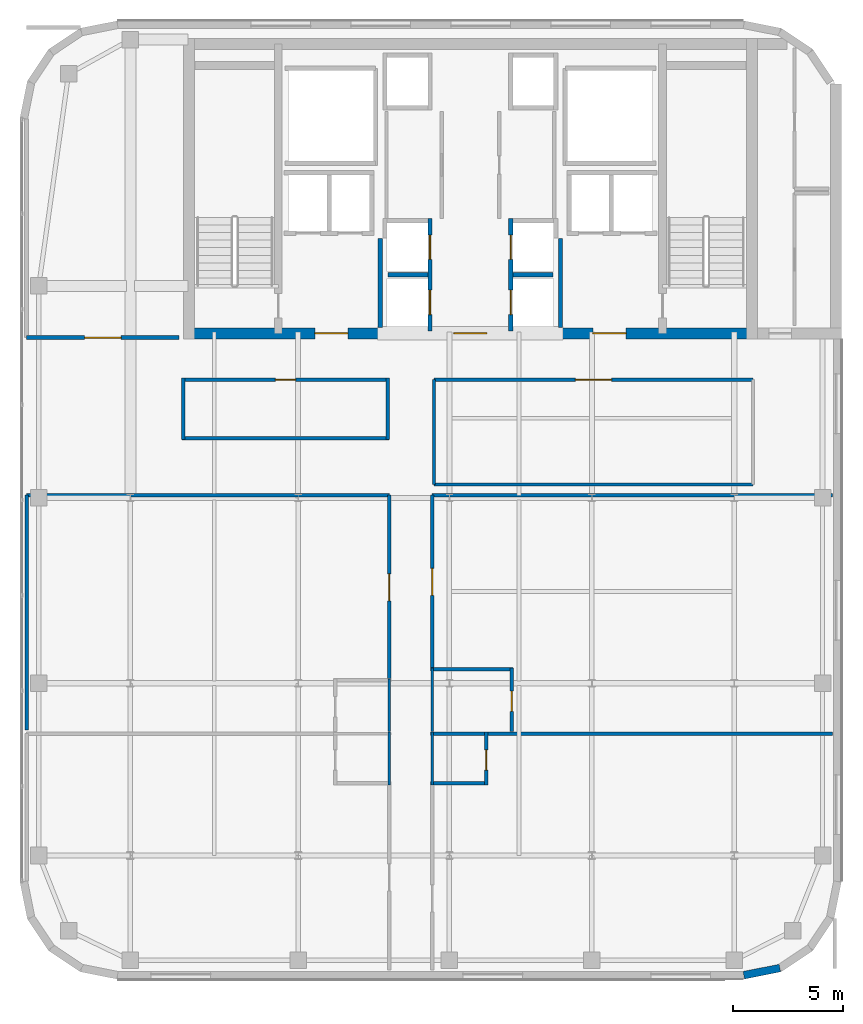
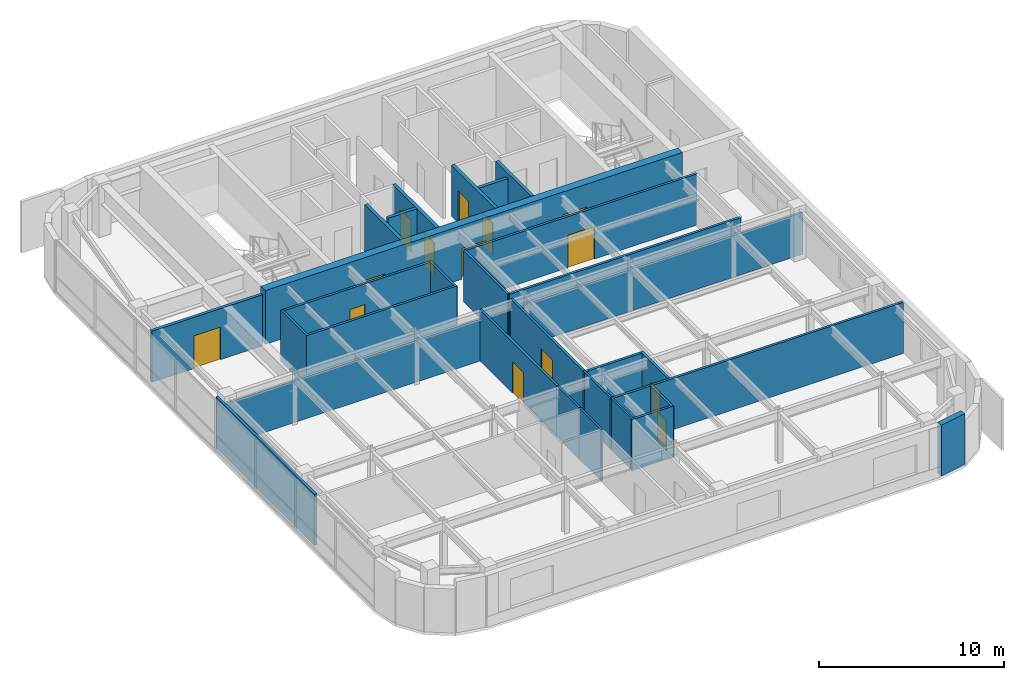
# One storey, part 15 of 21: 30 walls, 14 doors, 14 openings.
"""IFC4 building model written with IfcOpenShell, lengths in metres."""

import ifcopenshell
import ifcopenshell.guid

model = None  # the IFC model being written
_history = None  # IfcOwnerHistory: only IFC2X3 demands one
_inside = {}  # id of a spatial element -> (the spatial element, [elements in it])
_under = {}  # id of a project, library or spatial element -> (it, [spatial elements below it])
_declared = {}  # id of a project -> (the project, [libraries it declares])
_typed = {}  # id of a type object -> (the type object, [elements of that type])
_made_of = {}  # id of a material, layer set ... -> (it, [elements and type objects made of it])


def new_model(schema):
    """Start an empty IFC model of exactly this schema.

    Asked for "IFC4X3", IfcOpenShell would pick the latest addendum, in which some entities
    have other attributes; the version numbers below select the first issue.
    IFC2X3 requires an IfcOwnerHistory on every rooted entity: one is made here for all.
    """
    global model, _history
    if schema == "IFC4X3":
        model = ifcopenshell.file(schema_version=(4, 3, 0, 0))
    else:
        model = ifcopenshell.file(schema=schema)
    _inside.clear()
    _under.clear()
    _declared.clear()
    _typed.clear()
    _made_of.clear()
    _history = None
    if model.schema == "IFC2X3":
        org = make("IfcOrganization", Name="unknown")
        user = make(
            "IfcPersonAndOrganization",
            ThePerson=make("IfcPerson", FamilyName="unknown"),
            TheOrganization=org,
        )
        app = make(
            "IfcApplication",
            ApplicationDeveloper=org,
            Version="unknown",
            ApplicationFullName="unknown",
            ApplicationIdentifier="unknown",
        )
        _history = make(
            "IfcOwnerHistory",
            OwningUser=user,
            OwningApplication=app,
            ChangeAction="ADDED",
            CreationDate=0,
        )
    return model


def make(cls, **values):
    """One entity of the class cls with the attributes given. An attribute that is None is left unset."""
    return model.create_entity(
        cls, **{name: value for name, value in values.items() if value is not None}
    )


def rooted(cls, **values):
    """An entity with a GlobalId (a new one), such as an element, a storey or a relation."""
    return make(cls, GlobalId=ifcopenshell.guid.new(), OwnerHistory=_history, **values)


def si_unit(unit_type, name, prefix=None):
    """IfcSIUnit, for example si_unit("LENGTHUNIT", "METRE", prefix="MILLI")."""
    return make("IfcSIUnit", UnitType=unit_type, Prefix=prefix, Name=name)


def assignment(units):
    """IfcUnitAssignment: the units of a project."""
    return None if units is None else make("IfcUnitAssignment", Units=units)


def point(xyz):
    """IfcCartesianPoint."""
    return None if xyz is None else make("IfcCartesianPoint", Coordinates=xyz)


def direction(xyz):
    """IfcDirection."""
    return None if xyz is None else make("IfcDirection", DirectionRatios=xyz)


def frame(location, z_axis=None, x_axis=None):
    """IfcAxis2Placement3D, a coordinate frame: its origin and axes. An axis left out is left unset."""
    return make(
        "IfcAxis2Placement3D",
        Location=point(location),
        Axis=direction(z_axis),
        RefDirection=direction(x_axis),
    )


def frame_2d(location, x_axis=None):
    """IfcAxis2Placement2D, a coordinate frame in the plane: its origin and x axis."""
    return make(
        "IfcAxis2Placement2D", Location=point(location), RefDirection=direction(x_axis)
    )


def origin():
    """The frame at (0, 0, 0) with its axes left unset."""
    return frame((0.0, 0.0, 0.0))


def place(relative_to, where):
    """IfcLocalPlacement: puts the frame where relative to a parent placement (None: the world)."""
    return make(
        "IfcLocalPlacement", PlacementRelTo=relative_to, RelativePlacement=where
    )


def context(
    kind, dimensions, precision=None, world=None, true_north=None, identifier=None
):
    """IfcGeometricRepresentationContext, for example the 3D "Model" context."""
    return make(
        "IfcGeometricRepresentationContext",
        ContextIdentifier=identifier,
        ContextType=kind,
        CoordinateSpaceDimension=dimensions,
        Precision=precision,
        WorldCoordinateSystem=world,
        TrueNorth=true_north,
    )


def subcontext(parent, identifier, kind, view, scale=None):
    """IfcGeometricRepresentationSubContext, for example "Body" below "Model"."""
    return make(
        "IfcGeometricRepresentationSubContext",
        ContextIdentifier=identifier,
        ContextType=kind,
        ParentContext=parent,
        TargetScale=scale,
        TargetView=view,
    )


def project(units=None, contexts=None):
    """IfcProject with its units and contexts."""
    return rooted(
        "IfcProject",
        Name="project",
        RepresentationContexts=contexts,
        UnitsInContext=assignment(units),
    )


def spatial(cls, under=None, at=None, **own):
    """A site, building, storey or space (cls), placed at a placement, below another one or the project."""
    s = rooted(cls, ObjectPlacement=at, **own)
    if under is not None:
        _under.setdefault(under.id(), (under, []))[1].append(s)
    return s


def profile(cls, at=None, kind="AREA", **sizes):
    """A parametric profile (cls). Its sizes go by their IFC names, for example OverallWidth=200.0."""
    return make(cls, ProfileType=kind, Position=at, **sizes)


def rectangle(**sizes):
    """IfcRectangleProfileDef."""
    return profile("IfcRectangleProfileDef", **sizes)


def extrude(swept, where, along, depth):
    """IfcExtrudedAreaSolid: the profile swept, set in the frame where, extruded along a direction by depth."""
    return make(
        "IfcExtrudedAreaSolid",
        SweptArea=swept,
        Position=where,
        ExtrudedDirection=direction(along),
        Depth=depth,
    )


def shape(context_of_items, identifier, shape_type, items):
    """IfcShapeRepresentation: the items that make up one representation, for example the "Body"."""
    return make(
        "IfcShapeRepresentation",
        ContextOfItems=context_of_items,
        RepresentationIdentifier=identifier,
        RepresentationType=shape_type,
        Items=items,
    )


def source(mapping_origin, context_of_items, identifier, shape_type, items):
    """IfcRepresentationMap: a shape defined once, which mapped items show again and again."""
    return make(
        "IfcRepresentationMap",
        MappingOrigin=mapping_origin,
        MappedRepresentation=shape(context_of_items, identifier, shape_type, items),
    )


def transform(
    local_origin,
    x_axis=None,
    y_axis=None,
    z_axis=None,
    scale=None,
    scale2=None,
    scale3=None,
    uniform=True,
):
    """IfcCartesianTransformationOperator3D, or its non-uniform kind. x_axis, y_axis, z_axis: its Axis1, 2, 3."""
    if uniform:
        return make(
            "IfcCartesianTransformationOperator3D",
            Axis1=direction(x_axis),
            Axis2=direction(y_axis),
            LocalOrigin=point(local_origin),
            Scale=scale,
            Axis3=direction(z_axis),
        )
    return make(
        "IfcCartesianTransformationOperator3DnonUniform",
        Axis1=direction(x_axis),
        Axis2=direction(y_axis),
        LocalOrigin=point(local_origin),
        Scale=scale,
        Axis3=direction(z_axis),
        Scale2=scale2,
        Scale3=scale3,
    )


def mapped(mapping_source, mapping_target):
    """IfcMappedItem: shows the shape of a source again, moved by a transform."""
    return make(
        "IfcMappedItem", MappingSource=mapping_source, MappingTarget=mapping_target
    )


def material(Name=None, Category=None):
    """IfcMaterial."""
    return make("IfcMaterial", Name=Name, Category=Category)


def layer(
    of_material, thickness, ventilated=None, Name=None, Category=None, Priority=None
):
    """IfcMaterialLayer: one layer of a wall or slab, of a material (None: an air gap)."""
    return make(
        "IfcMaterialLayer",
        Material=of_material,
        LayerThickness=thickness,
        IsVentilated=ventilated,
        Name=Name,
        Category=Category,
        Priority=Priority,
    )


def layer_set(layers, Name=None):
    """IfcMaterialLayerSet."""
    return make("IfcMaterialLayerSet", MaterialLayers=layers, LayerSetName=Name)


def made_of(thing, what):
    """Note that an element or type object is made of a material, layer set ...; save() writes the relation."""
    if what is not None:
        _made_of.setdefault(what.id(), (what, []))[1].append(thing)
    return thing


def type_object(cls, material=None, **own):
    """A type object (cls), such as IfcWallType, which elements share."""
    return made_of(rooted(cls, **own), material)


def type_shapes(of_type, sources):
    """Give a type object the sources (RepresentationMaps) that its elements show as mapped items."""
    of_type.RepresentationMaps = sources


def element(
    cls,
    number,
    at=None,
    inside=None,
    cuts=None,
    type_object=None,
    material=None,
    context=None,
    identifier="Body",
    shape_type=None,
    held_by="IfcProductDefinitionShape",
    body=None,
    shapes=None,
    **own,
):
    """One element of the class cls, such as IfcWall. Its Tag is "e" and its number.

    at: its placement. inside: the storey or other place that contains it. cuts: it is an
    opening in that element (IfcRelVoidsElement). A single representation is given by context,
    identifier, shape_type and body (its items); several are given by shapes. held_by: the class
    of the entity that holds the representations. save() writes the other relations.
    """
    e = rooted(cls, Tag="e%d" % number, ObjectPlacement=at, **own)
    if body is not None:
        shapes = [shape(context, identifier, shape_type, body)]
    if shapes is not None:
        e.Representation = make(held_by, Representations=shapes)
    if inside is not None:
        _inside.setdefault(inside.id(), (inside, []))[1].append(e)
    if cuts is not None:
        rooted(
            "IfcRelVoidsElement", RelatingBuildingElement=cuts, RelatedOpeningElement=e
        )
    if type_object is not None:
        _typed.setdefault(type_object.id(), (type_object, []))[1].append(e)
    return made_of(e, material)


def fill(opening, filler):
    """IfcRelFillsElement: the door or window that sits in an opening."""
    return rooted(
        "IfcRelFillsElement",
        RelatingOpeningElement=opening,
        RelatedBuildingElement=filler,
    )


def aggregate(whole, parts):
    """IfcRelAggregates: a whole, such as a stair, and the parts it consists of."""
    return rooted("IfcRelAggregates", RelatingObject=whole, RelatedObjects=parts)


def save(model, path):
    """Write the relations noted so far, then the file.

    IfcRelAggregates (storeys below a building ...), IfcRelContainedInSpatialStructure (elements
    in a storey), IfcRelDefinesByType, IfcRelAssociatesMaterial and IfcRelDeclares: one each for
    every whole, place, type object, material and project.
    """
    for whole, parts in _under.values():
        aggregate(whole, parts)
    for where, things in _inside.values():
        rooted(
            "IfcRelContainedInSpatialStructure",
            RelatedElements=things,
            RelatingStructure=where,
        )
    for kind, things in _typed.values():
        rooted("IfcRelDefinesByType", RelatedObjects=things, RelatingType=kind)
    for what, things in _made_of.values():
        rooted("IfcRelAssociatesMaterial", RelatedObjects=things, RelatingMaterial=what)
    for by, libraries in _declared.values():
        rooted("IfcRelDeclares", RelatingContext=by, RelatedDefinitions=libraries)
    model.write(path)


model = new_model("IFC4")

# Units and contexts
model_context = context("Model", 3, precision=1e-05, world=origin(), true_north=direction((0.0, 1.0)))
body_context = subcontext(model_context, "Body", "Model", "MODEL_VIEW")
ifc_project = project(units=[si_unit("LENGTHUNIT", "METRE"), si_unit("AREAUNIT", "SQUARE_METRE"), si_unit("VOLUMEUNIT", "CUBIC_METRE"), si_unit("PLANEANGLEUNIT", "RADIAN"), si_unit("MASSUNIT", "GRAM", prefix="KILO")], contexts=[model_context])

# Site, building, storey
site_placement = place(None, origin())
site = spatial("IfcSite", under=ifc_project, at=site_placement, CompositionType="ELEMENT")
building_placement = place(site_placement, origin())
building = spatial("IfcBuilding", under=site, at=building_placement, Name="Tolvann Quenvar Hotel", CompositionType="ELEMENT")
storey_placement = place(building_placement, frame((0.0, 0.0, 227.449951171875)))
storey = spatial("IfcBuildingStorey", under=building, at=storey_placement, Name="L60", CompositionType="ELEMENT", Elevation=227.449951171875)

# Wall, openings, doors
ifc_material_1 = material(Name="Concrete N50 (50 MPa)", Category="concrete")
ifc_layer_1 = layer(ifc_material_1, 0.5)
ifc_layer_set_1 = layer_set([ifc_layer_1], Name="Concrete N50 (50 MPa)")
wall_type_1 = type_object("IfcWallType", Name="WALL_CORE_500", PredefinedType="SHEAR", material=ifc_layer_set_1)
wall_1_placement = place(storey_placement, frame((10.0, 31.85009765625, 0.0), z_axis=(0.0, 0.0, 1.0), x_axis=(1.0, 0.0, 0.0)))
wall_1 = element("IfcWall", 1, at=wall_1_placement, inside=storey, type_object=wall_type_1, Name="Rear Core S Shear Wall (L60)", PredefinedType="SHEAR", context=body_context, shape_type="SweptSolid", body=[
    extrude(rectangle(XDim=26.0, YDim=0.5, at=frame_2d((13.0, 0.0))), origin(), (0.0, 0.0, 1.0), 3.550048828125),
])
opening_1_placement = place(wall_1_placement, frame((7.449951171875, 0.0, 0.0), z_axis=(0.0, 0.0, 1.0), x_axis=(-1.0, 0.0, 0.0)))
opening_1 = element("IfcOpeningElement", 2, at=opening_1_placement, cuts=wall_1, Name="Opening FD-60D", PredefinedType="OPENING", context=body_context, shape_type="SweptSolid", body=[
    extrude(rectangle(XDim=1.5, YDim=2.0400390625, at=frame_2d((0.75, 1.02001953125))), frame((0.0, 0.260009765625, 0.0), z_axis=(0.0, -1.0, 0.0), x_axis=(1.0, 0.0, 0.0)), (0.0, 0.0, 1.0), 0.52001953125),
])
opening_2_placement = place(wall_1_placement, frame((13.75, 0.0, 0.0), z_axis=(0.0, 0.0, 1.0), x_axis=(-1.0, 0.0, 0.0)))
opening_2 = element("IfcOpeningElement", 3, at=opening_2_placement, cuts=wall_1, Name="Opening FD-60D", PredefinedType="OPENING", context=body_context, shape_type="SweptSolid", body=[
    extrude(rectangle(XDim=1.5, YDim=2.0400390625, at=frame_2d((0.75, 1.02001953125))), frame((0.0, 0.260009765625, 0.0), z_axis=(0.0, -1.0, 0.0), x_axis=(1.0, 0.0, 0.0)), (0.0, 0.0, 1.0), 0.52001953125),
])
opening_3_placement = place(wall_1_placement, frame((20.050048828125, 0.0, 0.0), z_axis=(0.0, 0.0, 1.0), x_axis=(-1.0, 0.0, 0.0)))
opening_3 = element("IfcOpeningElement", 4, at=opening_3_placement, cuts=wall_1, Name="Opening FD-60D", PredefinedType="OPENING", context=body_context, shape_type="SweptSolid", body=[
    extrude(rectangle(XDim=1.5, YDim=2.0400390625, at=frame_2d((0.75, 1.02001953125))), frame((0.0, 0.260009765625, 0.0), z_axis=(0.0, -1.0, 0.0), x_axis=(1.0, 0.0, 0.0)), (0.0, 0.0, 1.0), 0.52001953125),
])
ifc_material_2 = material(Name="Solid-core American oak acoustic fire door leaf in steel frame", Category="steel")
door_type_1 = type_object("IfcDoorType", Name="DOOR_FIRE_LOBBY_1500", OperationType="NOTDEFINED", PredefinedType="DOOR", material=ifc_material_2)
shared_shape_1 = source(origin(), body_context, "Body", "SweptSolid", [
    extrude(rectangle(XDim=1.5, YDim=2.0400390625, at=frame_2d((0.75, 1.02001953125))), frame((0.0, 0.02490234375, 0.0), z_axis=(0.0, -1.0, 0.0), x_axis=(1.0, 0.0, 0.0)), (0.0, 0.0, 1.0), 0.050048828125),
])
type_shapes(door_type_1, [shared_shape_1])
door_1_placement = place(opening_1_placement, origin())
door_1 = element("IfcDoor", 5, at=door_1_placement, inside=storey, type_object=door_type_1, Name="Core Lobby Fire Door FFW (L60)", OperationType="DOUBLE_DOOR_SINGLE_SWING", OverallHeight=2.0400390625, OverallWidth=1.5, PredefinedType="DOOR", context=body_context, shape_type="MappedRepresentation", body=[
    mapped(shared_shape_1, transform((0.0, 0.0, 0.0), x_axis=(1.0, 0.0, 0.0), y_axis=(0.0, 1.0, 0.0), z_axis=(0.0, 0.0, 1.0), scale=1.0)),
])
fill(opening_1, door_1)
door_2_placement = place(opening_2_placement, origin())
door_2 = element("IfcDoor", 6, at=door_2_placement, inside=storey, type_object=door_type_1, Name="Core Lobby Fire Door CLOB (L60)", OperationType="DOUBLE_DOOR_SINGLE_SWING", OverallHeight=2.0400390625, OverallWidth=1.5, PredefinedType="DOOR", context=body_context, shape_type="MappedRepresentation", body=[
    mapped(shared_shape_1, transform((0.0, 0.0, 0.0), x_axis=(1.0, 0.0, 0.0), y_axis=(0.0, 1.0, 0.0), z_axis=(0.0, 0.0, 1.0), scale=1.0)),
])
fill(opening_2, door_2)
door_3_placement = place(opening_3_placement, origin())
door_3 = element("IfcDoor", 7, at=door_3_placement, inside=storey, type_object=door_type_1, Name="Core Lobby Fire Door FFE (L60)", OperationType="DOUBLE_DOOR_SINGLE_SWING", OverallHeight=2.0400390625, OverallWidth=1.5, PredefinedType="DOOR", context=body_context, shape_type="MappedRepresentation", body=[
    mapped(shared_shape_1, transform((0.0, 0.0, 0.0), x_axis=(1.0, 0.0, 0.0), y_axis=(0.0, 1.0, 0.0), z_axis=(0.0, 0.0, 1.0), scale=1.0)),
])
fill(opening_3, door_3)

# Wall
ifc_material_3 = material(Name="Kiln-fired red and buff architectural clay brickwork and terracotta masonry", Category="masonry")
ifc_layer_2 = layer(ifc_material_3, 0.35009765625)
ifc_layer_set_2 = layer_set([ifc_layer_2], Name="Kiln-fired red and buff architectural clay brickwork and terracotta masonry")
wall_type_2 = type_object("IfcWallType", Name="WALL_EXT_BRICK_350", PredefinedType="SOLIDWALL", material=ifc_layer_set_2)
wall_2_placement = place(storey_placement, frame((35.3828125, 2.77490234375, 0.0), z_axis=(0.0, 0.0, 1.0), x_axis=(0.980788844421, 0.195072403631, 0.0)))
element("IfcWall", 8, at=wall_2_placement, inside=storey, type_object=wall_type_2, Name="Exterior Chicago Brick Wall L60-E05", PredefinedType="SOLIDWALL", context=body_context, shape_type="SweptSolid", body=[
    extrude(rectangle(XDim=1.66455078125, YDim=0.35009765625, at=frame_2d((0.832275390625, 0.0))), origin(), (0.0, 0.0, 1.0), 3.3701171875),
])

# Wall, opening, door
ifc_material_4 = material(Name="Acoustic twin-stud fire-rated gypsum plasterboard partition")
ifc_layer_3 = layer(ifc_material_4, 0.179931640625)
ifc_layer_set_3 = layer_set([ifc_layer_3], Name="Acoustic twin-stud fire-rated gypsum plasterboard partition")
wall_type_3 = type_object("IfcWallType", Name="WALL_PART_ACOUSTIC_180", PredefinedType="PARTITIONING", material=ifc_layer_set_3)
wall_3_placement = place(storey_placement, frame((2.89990234375, 31.64990234375, 0.0), z_axis=(0.0, 0.0, 1.0), x_axis=(1.0, 0.0, 0.0)))
wall_3 = element("IfcWall", 9, at=wall_3_placement, inside=storey, type_object=wall_type_3, Name="Interior Partition PT-SPC-L60-SAL-S", PredefinedType="PARTITIONING", context=body_context, shape_type="SweptSolid", body=[
    extrude(rectangle(XDim=6.900146484375, YDim=0.179931640625, at=frame_2d((3.4501953125, 0.0))), origin(), (0.0, 0.0, 1.0), 3.3701171875),
])
opening_4_placement = place(wall_3_placement, frame((2.625, 0.0, 0.0)))
opening_4 = element("IfcOpeningElement", 10, at=opening_4_placement, cuts=wall_3, Name="Opening AD-01", PredefinedType="OPENING", context=body_context, shape_type="SweptSolid", body=[
    extrude(rectangle(XDim=1.64990234375, YDim=2.14990234375, at=frame_2d((0.824951171875, 1.074951171875))), frame((0.0, 0.10009765625, 0.0), z_axis=(0.0, -1.0, 0.0), x_axis=(1.0, 0.0, 0.0)), (0.0, 0.0, 1.0), 0.199951171875),
])
door_type_2 = type_object("IfcDoorType", Name="DOOR_SALON_1650", OperationType="NOTDEFINED", PredefinedType="DOOR", material=ifc_material_2)
shared_shape_2 = source(origin(), body_context, "Body", "SweptSolid", [
    extrude(rectangle(XDim=1.64990234375, YDim=2.14990234375, at=frame_2d((0.824951171875, 1.074951171875))), frame((0.0, 0.02490234375, 0.0), z_axis=(0.0, -1.0, 0.0), x_axis=(1.0, 0.0, 0.0)), (0.0, 0.0, 1.0), 0.050048828125),
])
type_shapes(door_type_2, [shared_shape_2])
door_4_placement = place(opening_4_placement, origin())
door_4 = element("IfcDoor", 11, at=door_4_placement, inside=storey, type_object=door_type_2, Name="Interior Door DOOR-SPC-L60-SAL", OperationType="DOUBLE_DOOR_SINGLE_SWING", OverallHeight=2.14990234375, OverallWidth=1.64990234375, PredefinedType="DOOR", context=body_context, shape_type="MappedRepresentation", body=[
    mapped(shared_shape_2, transform((0.0, 0.0, 0.0), x_axis=(1.0, 0.0, 0.0), y_axis=(0.0, 1.0, 0.0), z_axis=(0.0, 0.0, 1.0), scale=1.0)),
])
fill(opening_4, door_4)

# Walls
ifc_material_5 = material(Name="Moisture-resistant acoustic plumbing wall assembly")
ifc_layer_4 = layer(ifc_material_5, 0.1201171875)
ifc_layer_set_4 = layer_set([ifc_layer_4], Name="Moisture-resistant acoustic plumbing wall assembly")
wall_type_4 = type_object("IfcWallType", Name="WALL_PART_BATH_120", PredefinedType="PLUMBINGWALL", material=ifc_layer_set_4)
wall_4_placement = place(storey_placement, frame((19.330078125, 11.39990234375, 0.0), z_axis=(0.0, 0.0, 1.0), x_axis=(0.0, 1.0, 0.0)))
element("IfcWall", 12, at=wall_4_placement, inside=storey, type_object=wall_type_4, Name="Non-Rated Plumbing Partition PT-SPC-L60-ENS-WO01-E", PredefinedType="PLUMBINGWALL", context=body_context, shape_type="SweptSolid", body=[
    extrude(rectangle(XDim=2.39013671875, YDim=0.1201171875, at=frame_2d((1.195068359375, 0.0))), origin(), (0.0, 0.0, 1.0), 3.3701171875),
])
wall_5_placement = place(storey_placement, frame((19.330078125, 13.81005859375, 0.0), z_axis=(0.0, 0.0, 1.0), x_axis=(0.0, 1.0, 0.0)))
element("IfcWall", 13, at=wall_5_placement, inside=storey, type_object=wall_type_4, Name="Non-Rated Plumbing Partition PT-SPC-L60-ENS-WO02-E", PredefinedType="PLUMBINGWALL", context=body_context, shape_type="SweptSolid", body=[
    extrude(rectangle(XDim=2.389892578125, YDim=0.1201171875, at=frame_2d((1.19482421875, 0.0))), origin(), (0.0, 0.0, 1.0), 3.3701171875),
])
wall_6_placement = place(storey_placement, frame((21.27001953125, 11.39990234375, 0.0), z_axis=(0.0, 0.0, 1.0), x_axis=(0.0, 1.0, 0.0)))
element("IfcWall", 14, at=wall_6_placement, inside=storey, type_object=wall_type_4, Name="Non-Rated Plumbing Partition PT-SPC-L60-ENS-EO01-W", PredefinedType="PLUMBINGWALL", context=body_context, shape_type="SweptSolid", body=[
    extrude(rectangle(XDim=2.39013671875, YDim=0.1201171875, at=frame_2d((1.195068359375, 0.0))), origin(), (0.0, 0.0, 1.0), 3.3701171875),
])
wall_7_placement = place(storey_placement, frame((21.27001953125, 13.81005859375, 0.0), z_axis=(0.0, 0.0, 1.0), x_axis=(0.0, 1.0, 0.0)))
element("IfcWall", 15, at=wall_7_placement, inside=storey, type_object=wall_type_4, Name="Non-Rated Plumbing Partition PT-SPC-L60-ENS-EO02-W", PredefinedType="PLUMBINGWALL", context=body_context, shape_type="SweptSolid", body=[
    extrude(rectangle(XDim=2.889892578125, YDim=0.1201171875, at=frame_2d((1.44482421875, 0.0))), origin(), (0.0, 0.0, 1.0), 3.3701171875),
])

# Wall, opening, door
ifc_layer_5 = layer(ifc_material_4, 0.14990234375)
ifc_layer_set_5 = layer_set([ifc_layer_5], Name="Acoustic twin-stud fire-rated gypsum plasterboard partition")
wall_type_5 = type_object("IfcWallType", Name="WALL_PART_SUITE_150", PredefinedType="PARTITIONING", material=ifc_layer_set_5)
wall_8_placement = place(storey_placement, frame((23.719970703125, 11.39990234375, 0.0), z_axis=(0.0, 0.0, 1.0), x_axis=(0.0, 1.0, 0.0)))
wall_8 = element("IfcWall", 16, at=wall_8_placement, inside=storey, type_object=wall_type_5, Name="Interior Partition PT-SPC-L60-ENS-EO01-ENT", PredefinedType="PARTITIONING", context=body_context, shape_type="SweptSolid", body=[
    extrude(rectangle(XDim=2.39013671875, YDim=0.14990234375, at=frame_2d((1.195068359375, 0.0))), origin(), (0.0, 0.0, 1.0), 3.3701171875),
])
opening_5_placement = place(wall_8_placement, frame((0.6650390625, 0.0, 0.0)))
opening_5 = element("IfcOpeningElement", 17, at=opening_5_placement, cuts=wall_8, Name="Opening WD-01", PredefinedType="OPENING", context=body_context, shape_type="SweptSolid", body=[
    extrude(rectangle(XDim=0.919921875, YDim=2.010009765625, at=frame_2d((0.4599609375, 1.0048828125))), frame((0.0, 0.0849609375, 0.0), z_axis=(0.0, -1.0, 0.0), x_axis=(1.0, 0.0, 0.0)), (0.0, 0.0, 1.0), 0.169921875),
])
door_type_3 = type_object("IfcDoorType", Name="DOOR_WC_920", OperationType="NOTDEFINED", PredefinedType="DOOR", material=ifc_material_2)
shared_shape_3 = source(origin(), body_context, "Body", "SweptSolid", [
    extrude(rectangle(XDim=0.919921875, YDim=2.010009765625, at=frame_2d((0.4599609375, 1.0048828125))), frame((0.0, 0.02490234375, 0.0), z_axis=(0.0, -1.0, 0.0), x_axis=(1.0, 0.0, 0.0)), (0.0, 0.0, 1.0), 0.050048828125),
])
type_shapes(door_type_3, [shared_shape_3])
door_5_placement = place(opening_5_placement, origin())
door_5 = element("IfcDoor", 18, at=door_5_placement, inside=storey, type_object=door_type_3, Name="Interior Door DOOR-SPC-L60-ENS-EO01", OperationType="SINGLE_SWING_RIGHT", OverallHeight=2.010009765625, OverallWidth=0.919921875, PredefinedType="DOOR", context=body_context, shape_type="MappedRepresentation", body=[
    mapped(shared_shape_3, transform((0.0, 0.0, 0.0), x_axis=(1.0, 0.0, 0.0), y_axis=(0.0, 1.0, 0.0), z_axis=(0.0, 0.0, 1.0), scale=1.0)),
])
fill(opening_5, door_5)

# Walls
wall_9_placement = place(storey_placement, frame((21.199951171875, 11.469970703125, 0.0), z_axis=(0.0, 0.0, 1.0), x_axis=(1.0, 0.0, 0.0)))
element("IfcWall", 19, at=wall_9_placement, inside=storey, type_object=wall_type_5, Name="Interior Partition PT-SPC-L60-ENS-EO01-S", PredefinedType="PARTITIONING", context=body_context, shape_type="SweptSolid", body=[
    extrude(rectangle(XDim=2.590087890625, YDim=0.14990234375, at=frame_2d((1.294921875, 0.0))), origin(), (0.0, 0.0, 1.0), 3.3701171875),
])
wall_10_placement = place(storey_placement, frame((21.199951171875, 13.719970703125, 0.0), z_axis=(0.0, 0.0, 1.0), x_axis=(1.0, 0.0, 0.0)))
element("IfcWall", 20, at=wall_10_placement, inside=storey, type_object=wall_type_5, Name="Interior Partition PT-SPC-L60-ENS-EO01-N", PredefinedType="PARTITIONING", context=body_context, shape_type="SweptSolid", body=[
    extrude(rectangle(XDim=18.195068359375, YDim=0.14990234375, at=frame_2d((9.09765625, 0.0))), origin(), (0.0, 0.0, 1.0), 3.3701171875),
])

# Wall, opening, door
wall_11_placement = place(storey_placement, frame((24.8701171875, 13.81005859375, 0.0), z_axis=(0.0, 0.0, 1.0), x_axis=(0.0, 1.0, 0.0)))
wall_11 = element("IfcWall", 21, at=wall_11_placement, inside=storey, type_object=wall_type_5, Name="Interior Partition PT-SPC-L60-ENS-EO02-ENT", PredefinedType="PARTITIONING", context=body_context, shape_type="SweptSolid", body=[
    extrude(rectangle(XDim=2.889892578125, YDim=0.14990234375, at=frame_2d((1.44482421875, 0.0))), origin(), (0.0, 0.0, 1.0), 3.3701171875),
])
opening_6_placement = place(wall_11_placement, frame((0.9150390625, 0.0, 0.0)))
opening_6 = element("IfcOpeningElement", 22, at=opening_6_placement, cuts=wall_11, Name="Opening WD-01", PredefinedType="OPENING", context=body_context, shape_type="SweptSolid", body=[
    extrude(rectangle(XDim=0.919921875, YDim=2.010009765625, at=frame_2d((0.4599609375, 1.0048828125))), frame((0.0, 0.0849609375, 0.0), z_axis=(0.0, -1.0, 0.0), x_axis=(1.0, 0.0, 0.0)), (0.0, 0.0, 1.0), 0.169921875),
])
door_6_placement = place(opening_6_placement, origin())
door_6 = element("IfcDoor", 23, at=door_6_placement, inside=storey, type_object=door_type_3, Name="Interior Door DOOR-SPC-L60-ENS-EO02", OperationType="SINGLE_SWING_LEFT", OverallHeight=2.010009765625, OverallWidth=0.919921875, PredefinedType="DOOR", context=body_context, shape_type="MappedRepresentation", body=[
    mapped(shared_shape_3, transform((0.0, 0.0, 0.0), x_axis=(1.0, 0.0, 0.0), y_axis=(0.0, 1.0, 0.0), z_axis=(0.0, 0.0, 1.0), scale=1.0)),
])
fill(opening_6, door_6)

# Wall
wall_12_placement = place(storey_placement, frame((21.199951171875, 16.6298828125, 0.0), z_axis=(0.0, 0.0, 1.0), x_axis=(1.0, 0.0, 0.0)))
element("IfcWall", 24, at=wall_12_placement, inside=storey, type_object=wall_type_5, Name="Interior Partition PT-SPC-L60-ENS-EO02-N", PredefinedType="PARTITIONING", context=body_context, shape_type="SweptSolid", body=[
    extrude(rectangle(XDim=3.739990234375, YDim=0.14990234375, at=frame_2d((1.8701171875, 0.0))), origin(), (0.0, 0.0, 1.0), 3.3701171875),
])

# Wall, opening, door
wall_13_placement = place(storey_placement, frame((19.330078125, 16.2099609375, 0.0), z_axis=(0.0, 0.0, 1.0), x_axis=(0.0, 1.0, 0.0)))
wall_13 = element("IfcWall", 25, at=wall_13_placement, inside=storey, type_object=wall_type_5, Name="Interior Partition PT-SPC-L60-RM-WO02-ENT", PredefinedType="PARTITIONING", context=body_context, shape_type="SweptSolid", body=[
    extrude(rectangle(XDim=8.31005859375, YDim=0.14990234375, at=frame_2d((4.155029296875, 0.0))), origin(), (0.0, 0.0, 1.0), 3.3701171875),
])
opening_7_placement = place(wall_13_placement, frame((3.52490234375, 0.0, 0.0)))
opening_7 = element("IfcOpeningElement", 26, at=opening_7_placement, cuts=wall_13, Name="Opening SD-02", PredefinedType="OPENING", context=body_context, shape_type="SweptSolid", body=[
    extrude(rectangle(XDim=1.219970703125, YDim=2.080078125, at=frame_2d((0.60986328125, 1.0400390625))), frame((0.0, 0.0849609375, 0.0), z_axis=(0.0, -1.0, 0.0), x_axis=(1.0, 0.0, 0.0)), (0.0, 0.0, 1.0), 0.169921875),
])
door_type_4 = type_object("IfcDoorType", Name="DOOR_VIP_1220", OperationType="NOTDEFINED", PredefinedType="DOOR", material=ifc_material_2)
shared_shape_4 = source(origin(), body_context, "Body", "SweptSolid", [
    extrude(rectangle(XDim=1.219970703125, YDim=2.080078125, at=frame_2d((0.60986328125, 1.0400390625))), frame((0.0, 0.02490234375, 0.0), z_axis=(0.0, -1.0, 0.0), x_axis=(1.0, 0.0, 0.0)), (0.0, 0.0, 1.0), 0.050048828125),
])
type_shapes(door_type_4, [shared_shape_4])
door_7_placement = place(opening_7_placement, origin())
door_7 = element("IfcDoor", 27, at=door_7_placement, inside=storey, type_object=door_type_4, Name="Interior Door DOOR-SPC-L60-RM-WO02", OperationType="SINGLE_SWING_LEFT", OverallHeight=2.080078125, OverallWidth=1.219970703125, PredefinedType="DOOR", context=body_context, shape_type="MappedRepresentation", body=[
    mapped(shared_shape_4, transform((0.0, 0.0, 0.0), x_axis=(1.0, 0.0, 0.0), y_axis=(0.0, 1.0, 0.0), z_axis=(0.0, 0.0, 1.0), scale=1.0)),
])
fill(opening_7, door_7)

# Walls
wall_14_placement = place(storey_placement, frame((2.89990234375, 24.52001953125, 0.0), z_axis=(0.0, 0.0, 1.0), x_axis=(1.0, 0.0, 0.0)))
element("IfcWall", 28, at=wall_14_placement, inside=storey, type_object=wall_type_5, Name="Interior Partition PT-SPC-L60-RM-WO02-E5", PredefinedType="PARTITIONING", context=body_context, shape_type="SweptSolid", body=[
    extrude(rectangle(XDim=16.43017578125, YDim=0.14990234375, at=frame_2d((8.215087890625, 0.0))), origin(), (0.0, 0.0, 1.0), 2.758056640625),
])
wall_15_placement = place(storey_placement, frame((2.89990234375, 13.8798828125, 0.0), z_axis=(0.0, 0.0, 1.0), x_axis=(0.0, 1.0, 0.0)))
element("IfcWall", 29, at=wall_15_placement, inside=storey, type_object=wall_type_5, Name="Interior Partition PT-SPC-L60-RM-WO02-E6", PredefinedType="PARTITIONING", context=body_context, shape_type="SweptSolid", body=[
    extrude(rectangle(XDim=10.64013671875, YDim=0.14990234375, at=frame_2d((5.320068359375, 0.0))), origin(), (0.0, 0.0, 1.0), 3.3701171875),
])

# Wall, opening, door
wall_16_placement = place(storey_placement, frame((21.27001953125, 16.7099609375, 0.0), z_axis=(0.0, 0.0, 1.0), x_axis=(0.0, 1.0, 0.0)))
wall_16 = element("IfcWall", 30, at=wall_16_placement, inside=storey, type_object=wall_type_5, Name="Interior Partition PT-SPC-L60-RM-EO02-ENT", PredefinedType="PARTITIONING", context=body_context, shape_type="SweptSolid", body=[
    extrude(rectangle(XDim=7.81005859375, YDim=0.14990234375, at=frame_2d((3.905029296875, 0.0))), origin(), (0.0, 0.0, 1.0), 3.3701171875),
])
opening_8_placement = place(wall_16_placement, frame((3.27490234375, 0.0, 0.0)))
opening_8 = element("IfcOpeningElement", 31, at=opening_8_placement, cuts=wall_16, Name="Opening SD-02", PredefinedType="OPENING", context=body_context, shape_type="SweptSolid", body=[
    extrude(rectangle(XDim=1.219970703125, YDim=2.080078125, at=frame_2d((0.60986328125, 1.0400390625))), frame((0.0, 0.0849609375, 0.0), z_axis=(0.0, -1.0, 0.0), x_axis=(1.0, 0.0, 0.0)), (0.0, 0.0, 1.0), 0.169921875),
])
door_8_placement = place(opening_8_placement, origin())
door_8 = element("IfcDoor", 32, at=door_8_placement, inside=storey, type_object=door_type_4, Name="Interior Door DOOR-SPC-L60-RM-EO02", OperationType="SINGLE_SWING_LEFT", OverallHeight=2.080078125, OverallWidth=1.219970703125, PredefinedType="DOOR", context=body_context, shape_type="MappedRepresentation", body=[
    mapped(shared_shape_4, transform((0.0, 0.0, 0.0), x_axis=(1.0, 0.0, 0.0), y_axis=(0.0, 1.0, 0.0), z_axis=(0.0, 0.0, 1.0), scale=1.0)),
])
fill(opening_8, door_8)

# Walls
wall_17_placement = place(storey_placement, frame((21.27001953125, 24.52001953125, 0.0), z_axis=(0.0, 0.0, 1.0), x_axis=(1.0, 0.0, 0.0)))
element("IfcWall", 33, at=wall_17_placement, inside=storey, type_object=wall_type_5, Name="Interior Partition PT-SPC-L60-RM-EO02-E5", PredefinedType="PARTITIONING", context=body_context, shape_type="SweptSolid", body=[
    extrude(rectangle(XDim=18.125, YDim=0.14990234375, at=frame_2d((9.0625, 0.0))), origin(), (0.0, 0.0, 1.0), 2.758056640625),
])
wall_18_placement = place(storey_placement, frame((9.929931640625, 27.10009765625, 0.0), z_axis=(0.0, 0.0, 1.0), x_axis=(1.0, 0.0, 0.0)))
element("IfcWall", 34, at=wall_18_placement, inside=storey, type_object=wall_type_5, Name="Interior Partition PT-SPC-L60-WCA-S", PredefinedType="PARTITIONING", context=body_context, shape_type="SweptSolid", body=[
    extrude(rectangle(XDim=9.39013671875, YDim=0.14990234375, at=frame_2d((4.695068359375, 0.0))), origin(), (0.0, 0.0, 1.0), 3.3701171875),
])

# Wall, opening, door
wall_19_placement = place(storey_placement, frame((9.929931640625, 29.75, 0.0), z_axis=(0.0, 0.0, 1.0), x_axis=(1.0, 0.0, 0.0)))
wall_19 = element("IfcWall", 35, at=wall_19_placement, inside=storey, type_object=wall_type_5, Name="Interior Partition PT-SPC-L60-WCA-N", PredefinedType="PARTITIONING", context=body_context, shape_type="SweptSolid", body=[
    extrude(rectangle(XDim=9.39013671875, YDim=0.14990234375, at=frame_2d((4.695068359375, 0.0))), origin(), (0.0, 0.0, 1.0), 3.3701171875),
])
opening_9_placement = place(wall_19_placement, frame((4.235107421875, 0.0, 0.0)))
opening_9 = element("IfcOpeningElement", 36, at=opening_9_placement, cuts=wall_19, Name="Opening WD-01", PredefinedType="OPENING", context=body_context, shape_type="SweptSolid", body=[
    extrude(rectangle(XDim=0.919921875, YDim=2.010009765625, at=frame_2d((0.4599609375, 1.0048828125))), frame((0.0, 0.0849609375, 0.0), z_axis=(0.0, -1.0, 0.0), x_axis=(1.0, 0.0, 0.0)), (0.0, 0.0, 1.0), 0.169921875),
])
door_9_placement = place(opening_9_placement, origin())
door_9 = element("IfcDoor", 37, at=door_9_placement, inside=storey, type_object=door_type_3, Name="Interior Door DOOR-SPC-L60-WCA", OperationType="SINGLE_SWING_RIGHT", OverallHeight=2.010009765625, OverallWidth=0.919921875, PredefinedType="DOOR", context=body_context, shape_type="MappedRepresentation", body=[
    mapped(shared_shape_3, transform((0.0, 0.0, 0.0), x_axis=(1.0, 0.0, 0.0), y_axis=(0.0, 1.0, 0.0), z_axis=(0.0, 0.0, 1.0), scale=1.0)),
])
fill(opening_9, door_9)

# Walls
for number, where, z_axis, x_axis, name in (
    (38, (10.0, 27.030029296875, 0.0), (0.0, 0.0, 1.0), (0.0, 1.0, 0.0), "Interior Partition PT-SPC-L60-WCA-W"),
    (39, (19.25, 27.030029296875, 0.0), (0.0, 0.0, 1.0), (0.0, 1.0, 0.0), "Interior Partition PT-SPC-L60-WCA-E"),
):
    element("IfcWall", number, at=place(storey_placement, frame(where, z_axis=z_axis, x_axis=x_axis)), inside=storey, type_object=wall_type_5, Name=name, PredefinedType="PARTITIONING", context=body_context, shape_type="SweptSolid", body=[
        extrude(rectangle(XDim=2.7900390625, YDim=0.14990234375, at=frame_2d((1.39501953125, 0.0))), origin(), (0.0, 0.0, 1.0), 3.3701171875),
    ])
wall_20_placement = place(storey_placement, frame((21.35009765625, 25.0, 0.0), z_axis=(0.0, 0.0, 1.0), x_axis=(1.0, 0.0, 0.0)))
element("IfcWall", 40, at=wall_20_placement, inside=storey, type_object=wall_type_5, Name="Interior Partition PT-SPC-L60-LOUNGE-S", PredefinedType="PARTITIONING", context=body_context, shape_type="SweptSolid", body=[
    extrude(rectangle(XDim=14.449951171875, YDim=0.14990234375, at=frame_2d((7.22509765625, 0.0))), origin(), (0.0, 0.0, 1.0), 3.3701171875),
])

# Wall, opening, door
wall_21_placement = place(storey_placement, frame((21.35009765625, 29.75, 0.0), z_axis=(0.0, 0.0, 1.0), x_axis=(1.0, 0.0, 0.0)))
wall_21 = element("IfcWall", 41, at=wall_21_placement, inside=storey, type_object=wall_type_5, Name="Interior Partition PT-SPC-L60-LOUNGE-N", PredefinedType="PARTITIONING", context=body_context, shape_type="SweptSolid", body=[
    extrude(rectangle(XDim=14.449951171875, YDim=0.14990234375, at=frame_2d((7.22509765625, 0.0))), origin(), (0.0, 0.0, 1.0), 3.3701171875),
])
opening_10_placement = place(wall_21_placement, frame((6.39990234375, 0.0, 0.0)))
opening_10 = element("IfcOpeningElement", 42, at=opening_10_placement, cuts=wall_21, Name="Opening AD-01", PredefinedType="OPENING", context=body_context, shape_type="SweptSolid", body=[
    extrude(rectangle(XDim=1.64990234375, YDim=2.14990234375, at=frame_2d((0.824951171875, 1.074951171875))), frame((0.0, 0.0849609375, 0.0), z_axis=(0.0, -1.0, 0.0), x_axis=(1.0, 0.0, 0.0)), (0.0, 0.0, 1.0), 0.169921875),
])
door_10_placement = place(opening_10_placement, origin())
door_10 = element("IfcDoor", 43, at=door_10_placement, inside=storey, type_object=door_type_2, Name="Interior Door DOOR-SPC-L60-LOUNGE", OperationType="DOUBLE_DOOR_SINGLE_SWING", OverallHeight=2.14990234375, OverallWidth=1.64990234375, PredefinedType="DOOR", context=body_context, shape_type="MappedRepresentation", body=[
    mapped(shared_shape_2, transform((0.0, 0.0, 0.0), x_axis=(1.0, 0.0, 0.0), y_axis=(0.0, 1.0, 0.0), z_axis=(0.0, 0.0, 1.0), scale=1.0)),
])
fill(opening_10, door_10)

# Walls
wall_22_placement = place(storey_placement, frame((21.35009765625, 25.0, 0.0), z_axis=(0.0, 0.0, 1.0), x_axis=(0.0, 1.0, 0.0)))
element("IfcWall", 44, at=wall_22_placement, inside=storey, type_object=wall_type_5, Name="Interior Partition PT-SPC-L60-LOUNGE-W", PredefinedType="PARTITIONING", context=body_context, shape_type="SweptSolid", body=[
    extrude(rectangle(XDim=4.75, YDim=0.14990234375, at=frame_2d((2.375, 0.0))), origin(), (0.0, 0.0, 1.0), 3.3701171875),
])
ifc_material_6 = material(Name="Concrete N40 (40 MPa)", Category="concrete")
ifc_layer_6 = layer(ifc_material_6, 0.199951171875)
ifc_layer_set_6 = layer_set([ifc_layer_6], Name="Concrete N40 (40 MPa)")
wall_type_6 = type_object("IfcWallType", Name="WALL_SHAFT_200", PredefinedType="SOLIDWALL", material=ifc_layer_set_6)
for number, where, z_axis, x_axis, name in (
    (45, (18.919921875, 32.10400390625, 0.0), (0.0, 0.0, 1.0), (0.0, 1.0, 0.0), "Firefighting Lobby W Inner Fire Wall (L60)"),
    (46, (27.080078125, 32.10400390625, 0.0), (0.0, 0.0, 1.0), (0.0, 1.0, 0.0), "Firefighting Lobby E Inner Fire Wall (L60)"),
):
    element("IfcWall", number, at=place(storey_placement, frame(where, z_axis=z_axis, x_axis=x_axis)), inside=storey, type_object=wall_type_6, Name=name, PredefinedType="SOLIDWALL", context=body_context, shape_type="SweptSolid", body=[
        extrude(rectangle(XDim=4.0458984375, YDim=0.199951171875, at=frame_2d((2.02294921875, 0.0))), origin(), (0.0, 0.0, 1.0), 3.3701171875),
    ])

# Wall, openings, doors
wall_23_placement = place(storey_placement, frame((21.169921875, 31.9599609375, 0.0), z_axis=(0.0, 0.0, 1.0), x_axis=(0.0, 1.0, 0.0)))
wall_23 = element("IfcWall", 47, at=wall_23_placement, inside=storey, type_object=wall_type_6, Name="Lift Bank E21.1C1 Hoistway Front Wall (L60)", PredefinedType="SOLIDWALL", context=body_context, shape_type="SweptSolid", body=[
    extrude(rectangle(XDim=5.080078125, YDim=0.199951171875, at=frame_2d((2.5400390625, 0.0))), origin(), (0.0, 0.0, 1.0), 3.3701171875),
])
opening_11_placement = place(wall_23_placement, frame((0.739990234375, 0.0, 0.0)))
opening_11 = element("IfcOpeningElement", 48, at=opening_11_placement, cuts=wall_23, Name="Opening LD-01", PredefinedType="OPENING", context=body_context, shape_type="SweptSolid", body=[
    extrude(rectangle(XDim=1.10009765625, YDim=2.1201171875, at=frame_2d((0.550048828125, 1.06005859375))), frame((0.0, 0.10986328125, 0.0), z_axis=(0.0, -1.0, 0.0), x_axis=(1.0, 0.0, 0.0)), (0.0, 0.0, 1.0), 0.219970703125),
])
opening_12_placement = place(wall_23_placement, frame((3.239990234375, 0.0, 0.0)))
opening_12 = element("IfcOpeningElement", 49, at=opening_12_placement, cuts=wall_23, Name="Opening LD-01", PredefinedType="OPENING", context=body_context, shape_type="SweptSolid", body=[
    extrude(rectangle(XDim=1.10009765625, YDim=2.1201171875, at=frame_2d((0.550048828125, 1.06005859375))), frame((0.0, 0.10986328125, 0.0), z_axis=(0.0, -1.0, 0.0), x_axis=(1.0, 0.0, 0.0)), (0.0, 0.0, 1.0), 0.219970703125),
])
ifc_material_7 = material(Name="Brushed 316 stainless steel automatic sliding lift landing door", Category="steel")
door_type_5 = type_object("IfcDoorType", Name="DOOR_LIFT_SLIDE_1100", OperationType="NOTDEFINED", PredefinedType="DOOR", material=ifc_material_7)
shared_shape_5 = source(origin(), body_context, "Body", "SweptSolid", [
    extrude(rectangle(XDim=1.10009765625, YDim=2.1201171875, at=frame_2d((0.550048828125, 1.06005859375))), frame((0.0, 0.02490234375, 0.0), z_axis=(0.0, -1.0, 0.0), x_axis=(1.0, 0.0, 0.0)), (0.0, 0.0, 1.0), 0.050048828125),
])
type_shapes(door_type_5, [shared_shape_5])
door_11_placement = place(opening_11_placement, origin())
door_11 = element("IfcDoor", 50, at=door_11_placement, inside=storey, type_object=door_type_5, Name="Lift PH-1 Sliding Landing Door (L60)", OperationType="SLIDING_TO_LEFT", OverallHeight=2.1201171875, OverallWidth=1.10009765625, PredefinedType="DOOR", context=body_context, shape_type="MappedRepresentation", body=[
    mapped(shared_shape_5, transform((0.0, 0.0, 0.0), x_axis=(1.0, 0.0, 0.0), y_axis=(0.0, 1.0, 0.0), z_axis=(0.0, 0.0, 1.0), scale=1.0)),
])
fill(opening_11, door_11)
door_12_placement = place(opening_12_placement, origin())
door_12 = element("IfcDoor", 51, at=door_12_placement, inside=storey, type_object=door_type_5, Name="Lift PH-2 Sliding Landing Door (L60)", OperationType="SLIDING_TO_RIGHT", OverallHeight=2.1201171875, OverallWidth=1.10009765625, PredefinedType="DOOR", context=body_context, shape_type="MappedRepresentation", body=[
    mapped(shared_shape_5, transform((0.0, 0.0, 0.0), x_axis=(1.0, 0.0, 0.0), y_axis=(0.0, 1.0, 0.0), z_axis=(0.0, 0.0, 1.0), scale=1.0)),
])
fill(opening_12, door_12)

# Wall
wall_24_placement = place(storey_placement, frame((19.27001953125, 34.5, 0.0), z_axis=(0.0, 0.0, 1.0), x_axis=(1.0, 0.0, 0.0)))
element("IfcWall", 52, at=wall_24_placement, inside=storey, type_object=wall_type_6, Name="Lift Bank E21.1C1 Divider Wall 1 (L60)", PredefinedType="SOLIDWALL", context=body_context, shape_type="SweptSolid", body=[
    extrude(rectangle(XDim=1.800048828125, YDim=0.199951171875, at=frame_2d((0.89990234375, 0.0))), origin(), (0.0, 0.0, 1.0), 3.3701171875),
])

# Wall, openings, doors
wall_25_placement = place(storey_placement, frame((24.830078125, 31.9599609375, 0.0), z_axis=(0.0, 0.0, 1.0), x_axis=(0.0, 1.0, 0.0)))
wall_25 = element("IfcWall", 53, at=wall_25_placement, inside=storey, type_object=wall_type_6, Name="Lift Bank W24.9C1 Hoistway Front Wall (L60)", PredefinedType="SOLIDWALL", context=body_context, shape_type="SweptSolid", body=[
    extrude(rectangle(XDim=5.080078125, YDim=0.199951171875, at=frame_2d((2.5400390625, 0.0))), origin(), (0.0, 0.0, 1.0), 3.3701171875),
])
opening_13_placement = place(wall_25_placement, frame((0.739990234375, 0.0, 0.0)))
opening_13 = element("IfcOpeningElement", 54, at=opening_13_placement, cuts=wall_25, Name="Opening LD-01", PredefinedType="OPENING", context=body_context, shape_type="SweptSolid", body=[
    extrude(rectangle(XDim=1.10009765625, YDim=2.1201171875, at=frame_2d((0.550048828125, 1.06005859375))), frame((0.0, 0.10986328125, 0.0), z_axis=(0.0, -1.0, 0.0), x_axis=(1.0, 0.0, 0.0)), (0.0, 0.0, 1.0), 0.219970703125),
])
opening_14_placement = place(wall_25_placement, frame((3.239990234375, 0.0, 0.0)))
opening_14 = element("IfcOpeningElement", 55, at=opening_14_placement, cuts=wall_25, Name="Opening LD-01", PredefinedType="OPENING", context=body_context, shape_type="SweptSolid", body=[
    extrude(rectangle(XDim=1.10009765625, YDim=2.1201171875, at=frame_2d((0.550048828125, 1.06005859375))), frame((0.0, 0.10986328125, 0.0), z_axis=(0.0, -1.0, 0.0), x_axis=(1.0, 0.0, 0.0)), (0.0, 0.0, 1.0), 0.219970703125),
])
door_13_placement = place(opening_13_placement, origin())
door_13 = element("IfcDoor", 56, at=door_13_placement, inside=storey, type_object=door_type_5, Name="Lift PH-3 Sliding Landing Door (L60)", OperationType="SLIDING_TO_LEFT", OverallHeight=2.1201171875, OverallWidth=1.10009765625, PredefinedType="DOOR", context=body_context, shape_type="MappedRepresentation", body=[
    mapped(shared_shape_5, transform((0.0, 0.0, 0.0), x_axis=(1.0, 0.0, 0.0), y_axis=(0.0, 1.0, 0.0), z_axis=(0.0, 0.0, 1.0), scale=1.0)),
])
fill(opening_13, door_13)
door_14_placement = place(opening_14_placement, origin())
door_14 = element("IfcDoor", 57, at=door_14_placement, inside=storey, type_object=door_type_5, Name="Lift PH-4 Sliding Landing Door (L60)", OperationType="SLIDING_TO_RIGHT", OverallHeight=2.1201171875, OverallWidth=1.10009765625, PredefinedType="DOOR", context=body_context, shape_type="MappedRepresentation", body=[
    mapped(shared_shape_5, transform((0.0, 0.0, 0.0), x_axis=(1.0, 0.0, 0.0), y_axis=(0.0, 1.0, 0.0), z_axis=(0.0, 0.0, 1.0), scale=1.0)),
])
fill(opening_14, door_14)

# Wall
wall_26_placement = place(storey_placement, frame((24.929931640625, 34.5, 0.0), z_axis=(0.0, 0.0, 1.0), x_axis=(1.0, 0.0, 0.0)))
element("IfcWall", 58, at=wall_26_placement, inside=storey, type_object=wall_type_6, Name="Lift Bank W24.9C1 Divider Wall 1 (L60)", PredefinedType="SOLIDWALL", context=body_context, shape_type="SweptSolid", body=[
    extrude(rectangle(XDim=1.800048828125, YDim=0.199951171875, at=frame_2d((0.89990234375, 0.0))), origin(), (0.0, 0.0, 1.0), 3.3701171875),
])

save(model, "model.ifc")
